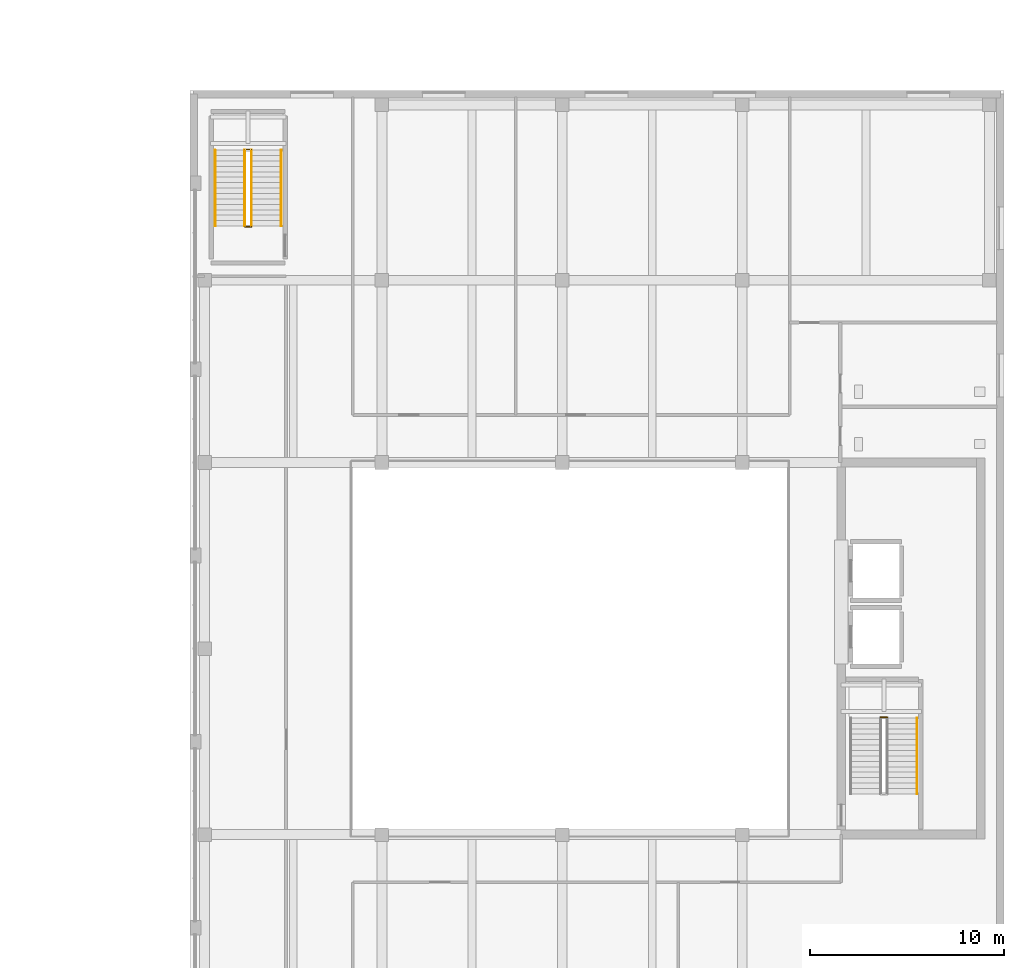
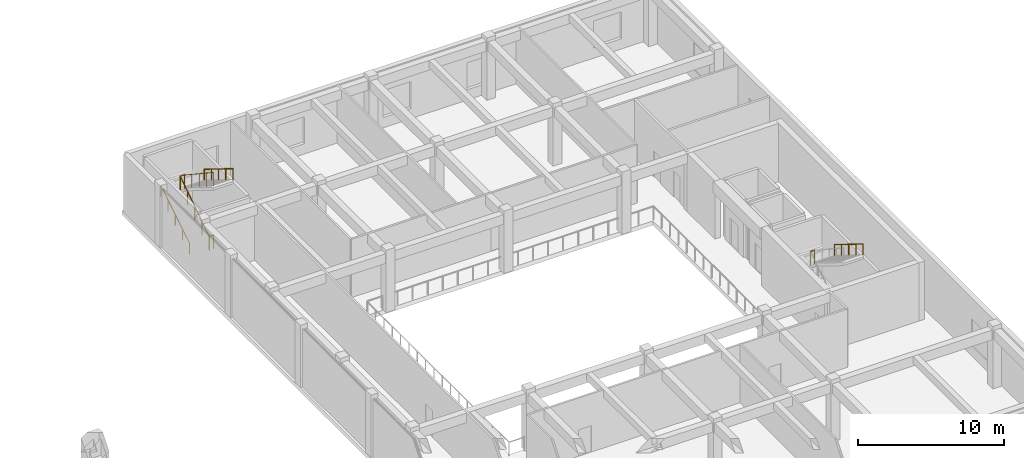
# One storey, part 21 of 22: 8 railings.
"""IFC4 building model written with IfcOpenShell, lengths in metres."""

from ifc_helpers import new_model, si_unit, direction, frame, origin, origin_2d, place, context, subcontext, project, spatial, circle, extrude, material, type_object, element, save


model = new_model("IFC4")

# Units and contexts
model_context = context("Model", 3, precision=1e-05, world=origin(), true_north=direction((0.0, 1.0)))
body_context = subcontext(model_context, "Body", "Model", "MODEL_VIEW")
ifc_project = project(units=[si_unit("LENGTHUNIT", "METRE"), si_unit("AREAUNIT", "SQUARE_METRE"), si_unit("VOLUMEUNIT", "CUBIC_METRE"), si_unit("PLANEANGLEUNIT", "RADIAN"), si_unit("MASSUNIT", "GRAM", prefix="KILO")], contexts=[model_context])

# Site, building, storey
site_placement = place(None, origin())
site = spatial("IfcSite", under=ifc_project, at=site_placement, CompositionType="ELEMENT")
building_placement = place(site_placement, origin())
building = spatial("IfcBuilding", under=site, at=building_placement, Name="Norrvale University Quadrangle", CompositionType="ELEMENT")
storey_placement = place(building_placement, frame((0.0, 0.0, 5.199951171875)))
storey = spatial("IfcBuildingStorey", under=building, at=storey_placement, Name="L01", CompositionType="ELEMENT", Elevation=5.199951171875)

# Railings
ifc_material_1 = material(Name="Steel 350W Painted Balustrade", Category="steel")
railing_type_1 = type_object("IfcRailingType", Name="Railing Stair Guard 1100", PredefinedType="GUARDRAIL", material=ifc_material_1)
railing_1_placement = place(storey_placement, frame((120.830078125, 25.25, 2.60009765625)))
element("IfcRailing", 1, at=railing_1_placement, inside=storey, type_object=railing_type_1, Name="Stair Mid-Landing Slot Guard ST-L1 L01", PredefinedType="GUARDRAIL", context=body_context, shape_type="SweptSolid", body=[
    extrude(circle(Radius=0.02392578125, at=origin_2d()), frame((0.0, 0.0, 1.1259765625), z_axis=(1.0, 0.0, 0.0), x_axis=(0.0, 1.0, 0.0)), (0.0, 0.0, 1.0), 0.33984375),
    extrude(circle(Radius=0.02099609375, at=origin_2d()), origin(), (0.0, 0.0, 1.0), 1.101806640625),
    extrude(circle(Radius=0.02099609375, at=origin_2d()), frame((0.33984375, 0.0, 0.0)), (0.0, 0.0, 1.0), 1.101806640625),
])
for number, where, name in (
    (2, (88.030029296875, 50.570068359375, 0.0), "Stair Floor Well Guard ST-L3 L01"),
    (3, (88.030029296875, 54.550048828125, 2.60009765625), "Stair Mid-Landing Slot Guard ST-L3 L01"),
):
    element("IfcRailing", number, at=place(storey_placement, frame(where)), inside=storey, type_object=railing_type_1, Name=name, PredefinedType="GUARDRAIL", context=body_context, shape_type="SweptSolid", body=[
        extrude(circle(Radius=0.02392578125, at=origin_2d()), frame((0.0, 0.0, 1.1259765625), z_axis=(1.0, 0.0, 0.0), x_axis=(0.0, 1.0, 0.0)), (0.0, 0.0, 1.0), 0.340087890625),
        extrude(circle(Radius=0.02099609375, at=origin_2d()), origin(), (0.0, 0.0, 1.0), 1.101806640625),
        extrude(circle(Radius=0.02099609375, at=origin_2d()), frame((0.340087890625, 0.0, 0.0)), (0.0, 0.0, 1.0), 1.101806640625),
    ])
railing_2_placement = place(storey_placement, frame((88.030029296875, 50.60009765625, 0.0)))
element("IfcRailing", 4, at=railing_2_placement, inside=storey, type_object=railing_type_1, Name="Stair Lower Flight Inner Guard ST-L3 L01", PredefinedType="GUARDRAIL", context=body_context, shape_type="SweptSolid", body=[
    extrude(circle(Radius=0.02392578125, at=origin_2d()), frame((0.0, 0.0, 1.1259765625), z_axis=(0.0, 0.833341594215, 0.552758344444), x_axis=(-1.0, 0.0, 0.0)), (0.0, 0.0, 1.0), 4.703857421875),
    extrude(circle(Radius=0.02099609375, at=origin_2d()), origin(), (0.0, 0.0, 1.0), 1.101806640625),
    extrude(circle(Radius=0.02099609375, at=origin_2d()), frame((0.0, 0.97998046875, 0.64990234375)), (0.0, 0.0, 1.0), 1.101806640625),
    extrude(circle(Radius=0.02099609375, at=origin_2d()), frame((0.0, 1.9599609375, 1.300048828125)), (0.0, 0.0, 1.0), 1.101806640625),
    extrude(circle(Radius=0.02099609375, at=origin_2d()), frame((0.0, 2.93994140625, 1.9501953125)), (0.0, 0.0, 1.0), 1.101806640625),
    extrude(circle(Radius=0.02099609375, at=origin_2d()), frame((0.0, 3.919921875, 2.60009765625)), (0.0, 0.0, 1.0), 1.101806640625),
])
railing_3_placement = place(storey_placement, frame((88.3701171875, 54.52001953125, 2.60009765625)))
element("IfcRailing", 5, at=railing_3_placement, inside=storey, type_object=railing_type_1, Name="Stair Upper Flight Inner Guard ST-L3 L01", PredefinedType="GUARDRAIL", context=body_context, shape_type="SweptSolid", body=[
    extrude(circle(Radius=0.02392578125, at=origin_2d()), frame((0.0, 0.0, 1.1259765625), z_axis=(0.0, -0.833365502166, 0.552722298989), x_axis=(1.0, 0.0, 0.0)), (0.0, 0.0, 1.0), 4.70361328125),
    extrude(circle(Radius=0.02099609375, at=origin_2d()), origin(), (0.0, 0.0, 1.0), 1.101806640625),
    extrude(circle(Radius=0.02099609375, at=origin_2d()), frame((0.0, -0.97998046875, 0.64990234375)), (0.0, 0.0, 1.0), 1.101806640625),
    extrude(circle(Radius=0.02099609375, at=origin_2d()), frame((0.0, -1.9599609375, 1.2998046875)), (0.0, 0.0, 1.0), 1.101806640625),
    extrude(circle(Radius=0.02099609375, at=origin_2d()), frame((0.0, -2.93994140625, 1.949951171875)), (0.0, 0.0, 1.0), 1.101806640625),
    extrude(circle(Radius=0.02099609375, at=origin_2d()), frame((0.0, -3.919921875, 2.599853515625)), (0.0, 0.0, 1.0), 1.101806640625),
])
ifc_material_2 = material(Name="Stainless Steel 316L Handrail", Category="steel")
railing_type_2 = type_object("IfcRailingType", Name="Railing Stair Handrail 920", PredefinedType="HANDRAIL", material=ifc_material_2)
railing_4_placement = place(storey_placement, frame((122.7099609375, 25.219970703125, 2.7734375)))
element("IfcRailing", 6, at=railing_4_placement, inside=storey, type_object=railing_type_2, Name="Stair Upper Flight Handrail ST-L1 L01", PredefinedType="HANDRAIL", context=body_context, shape_type="SweptSolid", body=[
    extrude(circle(Radius=0.02392578125, at=origin_2d()), frame((0.0, 0.0, 0.89599609375), z_axis=(0.0, -0.850275303828, 0.526338206574), x_axis=(1.0, 0.0, 0.0)), (0.0, 0.0, 1.0), 4.610107421875),
    extrude(circle(Radius=0.02099609375, at=origin_2d()), origin(), (0.0, 0.0, 1.0), 0.871826171875),
    extrude(circle(Radius=0.02099609375, at=origin_2d()), frame((0.0, -0.97998046875, 0.606689453125)), (0.0, 0.0, 1.0), 0.871826171875),
    extrude(circle(Radius=0.02099609375, at=origin_2d()), frame((0.0, -1.9599609375, 1.21337890625)), (0.0, 0.0, 1.0), 0.871826171875),
    extrude(circle(Radius=0.02099609375, at=origin_2d()), frame((0.0, -2.93994140625, 1.81982421875)), (0.0, 0.0, 1.0), 0.871826171875),
    extrude(circle(Radius=0.02099609375, at=origin_2d()), frame((0.0, -3.919921875, 2.426513671875)), (0.0, 0.0, 1.0), 0.871826171875),
])
railing_5_placement = place(storey_placement, frame((86.489990234375, 50.60009765625, 0.17333984375)))
element("IfcRailing", 7, at=railing_5_placement, inside=storey, type_object=railing_type_2, Name="Stair Lower Flight Handrail ST-L3 L01", PredefinedType="HANDRAIL", context=body_context, shape_type="SweptSolid", body=[
    extrude(circle(Radius=0.02392578125, at=origin_2d()), frame((0.0, 0.0, 0.89599609375), z_axis=(0.0, 0.850251603719, 0.526376491091), x_axis=(-1.0, 0.0, 0.0)), (0.0, 0.0, 1.0), 4.6103515625),
    extrude(circle(Radius=0.02099609375, at=origin_2d()), origin(), (0.0, 0.0, 1.0), 0.871826171875),
    extrude(circle(Radius=0.02099609375, at=origin_2d()), frame((0.0, 0.97998046875, 0.606689453125)), (0.0, 0.0, 1.0), 0.871826171875),
    extrude(circle(Radius=0.02099609375, at=origin_2d()), frame((0.0, 1.9599609375, 1.21337890625)), (0.0, 0.0, 1.0), 0.871826171875),
    extrude(circle(Radius=0.02099609375, at=origin_2d()), frame((0.0, 2.93994140625, 1.820068359375)), (0.0, 0.0, 1.0), 0.871826171875),
    extrude(circle(Radius=0.02099609375, at=origin_2d()), frame((0.0, 3.919921875, 2.4267578125)), (0.0, 0.0, 1.0), 0.871826171875),
])
railing_6_placement = place(storey_placement, frame((89.909912109375, 54.52001953125, 2.7734375)))
element("IfcRailing", 8, at=railing_6_placement, inside=storey, type_object=railing_type_2, Name="Stair Upper Flight Handrail ST-L3 L01", PredefinedType="HANDRAIL", context=body_context, shape_type="SweptSolid", body=[
    extrude(circle(Radius=0.02392578125, at=origin_2d()), frame((0.0, 0.0, 0.89599609375), z_axis=(0.0, -0.850275303828, 0.526338206574), x_axis=(1.0, 0.0, 0.0)), (0.0, 0.0, 1.0), 4.610107421875),
    extrude(circle(Radius=0.02099609375, at=origin_2d()), origin(), (0.0, 0.0, 1.0), 0.871826171875),
    extrude(circle(Radius=0.02099609375, at=origin_2d()), frame((0.0, -0.97998046875, 0.606689453125)), (0.0, 0.0, 1.0), 0.871826171875),
    extrude(circle(Radius=0.02099609375, at=origin_2d()), frame((0.0, -1.9599609375, 1.21337890625)), (0.0, 0.0, 1.0), 0.871826171875),
    extrude(circle(Radius=0.02099609375, at=origin_2d()), frame((0.0, -2.93994140625, 1.81982421875)), (0.0, 0.0, 1.0), 0.871826171875),
    extrude(circle(Radius=0.02099609375, at=origin_2d()), frame((0.0, -3.919921875, 2.426513671875)), (0.0, 0.0, 1.0), 0.871826171875),
])

save(model, "model.ifc")
